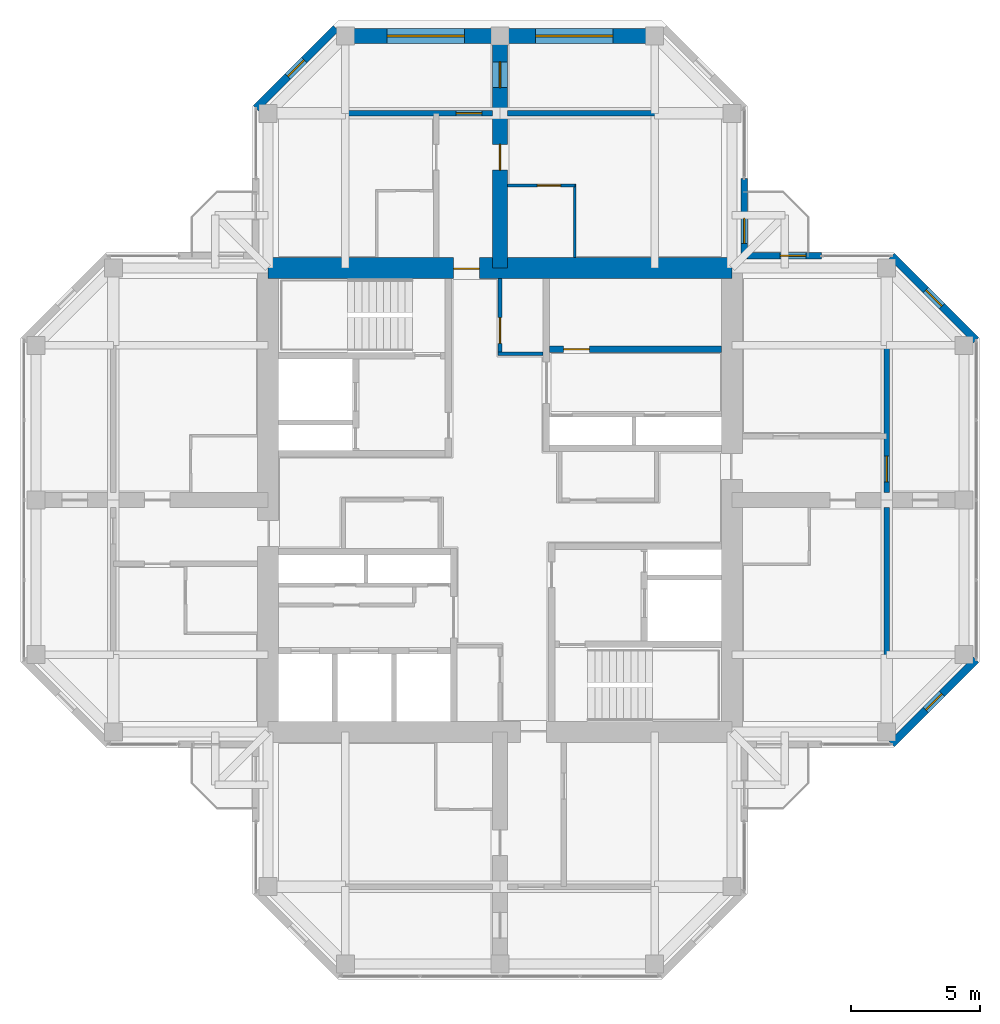
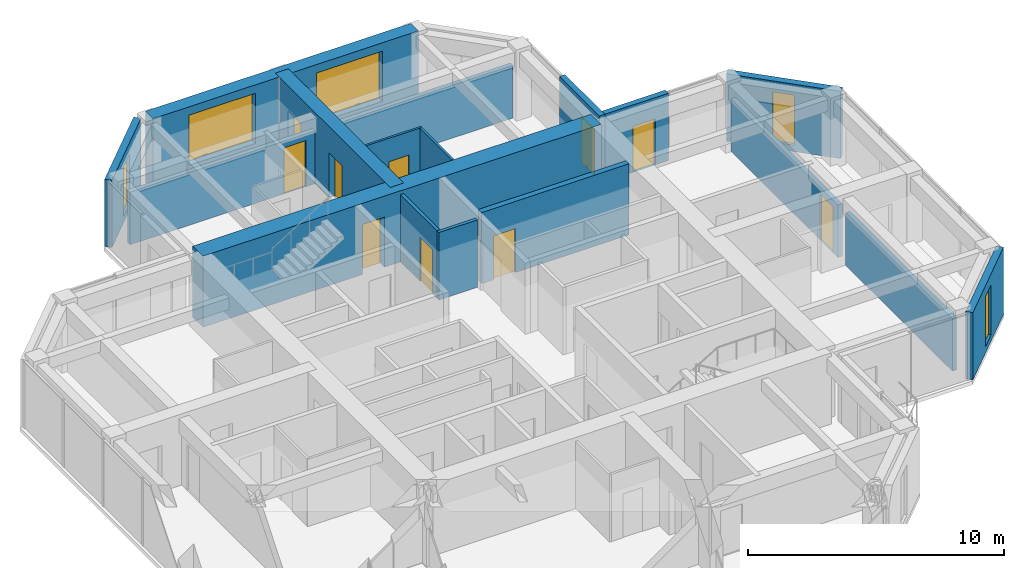
# One storey, part 11 of 13: 17 walls, 10 doors, 5 windows, 15 openings.
"""IFC4 building model written with IfcOpenShell, lengths in metres."""

from ifc_helpers import new_model, si_unit, direction, frame, frame_2d, origin, place, context, subcontext, project, spatial, rectangle, hollow_rectangle, extrude, material, layer, layer_set, constituent, constituent_set, type_object, element, fill, save


model = new_model("IFC4")

# Units and contexts
model_context = context("Model", 3, precision=1e-05, world=origin(), true_north=direction((0.0, 1.0)))
body_context = subcontext(model_context, "Body", "Model", "MODEL_VIEW")
ifc_project = project(units=[si_unit("LENGTHUNIT", "METRE"), si_unit("AREAUNIT", "SQUARE_METRE"), si_unit("VOLUMEUNIT", "CUBIC_METRE"), si_unit("PLANEANGLEUNIT", "RADIAN"), si_unit("MASSUNIT", "GRAM", prefix="KILO")], contexts=[model_context])

# Site, building, storey
site_placement = place(None, origin())
site = spatial("IfcSite", under=ifc_project, at=site_placement, CompositionType="ELEMENT")
building_placement = place(site_placement, origin())
building = spatial("IfcBuilding", under=site, at=building_placement, Name="Torre Cruceta", CompositionType="ELEMENT")
storey_placement = place(building_placement, frame((0.0, 0.0, 271.300048828125)))
storey = spatial("IfcBuildingStorey", under=building, at=storey_placement, Name="L70", CompositionType="ELEMENT", Elevation=271.300048828125)

# Wall
ifc_material_1 = material(Name="Water-resistant plasterboard on steel studs", Category="steel")
ifc_layer_1 = layer(ifc_material_1, 0.10009765625)
ifc_layer_set_1 = layer_set([ifc_layer_1], Name="Water-resistant plasterboard on steel studs")
wall_type_1 = type_object("IfcWallType", Name="BATHROOM WALL 100", PredefinedType="PARTITIONING", material=ifc_layer_set_1)
wall_1_placement = place(storey_placement, frame((2.89990234375, 9.39990234375, 0.0), z_axis=(0.0, 0.0, 1.0), x_axis=(0.0, 1.0, 0.0)))
element("IfcWall", 1, at=wall_1_placement, inside=storey, type_object=wall_type_1, Name="PT4 L70-N-U1RBB", PredefinedType="PARTITIONING", context=body_context, shape_type="SweptSolid", body=[
    extrude(rectangle(XDim=2.85009765625, YDim=0.10009765625, at=frame_2d((1.425048828125, 0.0))), origin(), (0.0, 0.0, 1.0), 3.219970703125),
])

# Wall, opening, door
wall_2_placement = place(storey_placement, frame((2.89990234375, 12.199951171875, 0.0), z_axis=(0.0, 0.0, 1.0), x_axis=(-1.0, 0.0, 0.0)))
wall_2 = element("IfcWall", 2, at=wall_2_placement, inside=storey, type_object=wall_type_1, Name="PT4 L70-N-U1RBS", PredefinedType="PARTITIONING", context=body_context, shape_type="SweptSolid", body=[
    extrude(rectangle(XDim=2.599853515625, YDim=0.10009765625, at=frame_2d((1.2998046875, 0.0))), origin(), (0.0, 0.0, 1.0), 3.219970703125),
])
opening_1_placement = place(wall_2_placement, frame((0.550048828125, 0.0, 0.0)))
opening_1 = element("IfcOpeningElement", 3, at=opening_1_placement, cuts=wall_2, Name="Opening D7", PredefinedType="OPENING", context=body_context, shape_type="SweptSolid", body=[
    extrude(rectangle(XDim=0.89990234375, YDim=2.10009765625, at=frame_2d((0.449951171875, 1.050048828125))), frame((0.0, 0.06005859375, 0.0), z_axis=(0.0, -1.0, 0.0), x_axis=(1.0, 0.0, 0.0)), (0.0, 0.0, 1.0), 0.1201171875),
])
ifc_material_2 = material(Name="Timber door", Category="wood")
door_type_1 = type_object("IfcDoorType", Name="BATHROOM DOOR 900X2100", OperationType="SINGLE_SWING_LEFT", PredefinedType="DOOR", material=ifc_material_2)
door_1_placement = place(opening_1_placement, origin())
door_1 = element("IfcDoor", 4, at=door_1_placement, inside=storey, type_object=door_type_1, Name="D7 L70-N-U1RBS-D1", OperationType="SINGLE_SWING_LEFT", OverallHeight=2.10009765625, OverallWidth=0.89990234375, PredefinedType="DOOR", context=body_context, shape_type="SweptSolid", body=[
    extrude(rectangle(XDim=0.89990234375, YDim=2.10009765625, at=frame_2d((0.449951171875, 1.050048828125))), frame((0.0, 0.02490234375, 0.0), z_axis=(0.0, -1.0, 0.0), x_axis=(1.0, 0.0, 0.0)), (0.0, 0.0, 1.0), 0.050048828125),
])
fill(opening_1, door_1)

ifc_material_3 = material(Name="Concrete G60 (fck 60 MPa)", Category="concrete")
ifc_layer_2 = layer(ifc_material_3, 0.25)
ifc_layer_set_2 = layer_set([ifc_layer_2], Name="Concrete G60 (fck 60 MPa)")
wall_type_2 = type_object("IfcWallType", Name="CORE INNER WALL 250 G60", PredefinedType="SHEAR", material=ifc_layer_set_2)
wall_3_placement = place(storey_placement, frame((1.925048828125, 5.85009765625, 0.0), z_axis=(0.0, 0.0, 1.0), x_axis=(1.0, 0.0, 0.0)))
wall_3 = element("IfcWall", 5, at=wall_3_placement, inside=storey, type_object=wall_type_2, Name="CW4 L70 NE-LV", PredefinedType="SHEAR", context=body_context, shape_type="SweptSolid", body=[
    extrude(rectangle(XDim=6.675048828125, YDim=0.25, at=frame_2d((3.33740234375, 0.0))), origin(), (0.0, 0.0, 1.0), 3.39990234375),
])
opening_2_placement = place(wall_3_placement, frame((0.5458984375, 0.0, 0.0)))
opening_2 = element("IfcOpeningElement", 6, at=opening_2_placement, cuts=wall_3, Name="Opening D3", PredefinedType="OPENING", context=body_context, shape_type="SweptSolid", body=[
    extrude(rectangle(XDim=1.0, YDim=2.10009765625, at=frame_2d((0.5, 1.050048828125))), frame((0.0, 0.135009765625, 0.0), z_axis=(0.0, -1.0, 0.0), x_axis=(1.0, 0.0, 0.0)), (0.0, 0.0, 1.0), 0.27001953125),
])
ifc_material_4 = material(Name="Steel DX51D", Category="steel")
ifc_constituent_1 = constituent(ifc_material_4, Name="Leaf and frame")
ifc_material_5 = material(Name="Polyester powder coating", Category="paint")
ifc_constituent_2 = constituent(ifc_material_5, Name="Finish")
ifc_constituent_set_1 = constituent_set(constituents=[ifc_constituent_1, ifc_constituent_2], Name="Steel fire door")
door_type_2 = type_object("IfcDoorType", Name="FIRE DOOR 1000X2100", OperationType="SINGLE_SWING_LEFT", PredefinedType="DOOR", material=ifc_constituent_set_1)
door_2_placement = place(opening_2_placement, origin())
door_2 = element("IfcDoor", 7, at=door_2_placement, inside=storey, type_object=door_type_2, Name="D3 L70 NE-HR1", OperationType="SINGLE_SWING_LEFT", OverallHeight=2.10009765625, OverallWidth=1.0, PredefinedType="DOOR", context=body_context, shape_type="SweptSolid", body=[
    extrude(rectangle(XDim=1.0, YDim=2.10009765625, at=frame_2d((0.5, 1.050048828125))), frame((0.0, 0.02490234375, 0.0), z_axis=(0.0, -1.0, 0.0), x_axis=(1.0, 0.0, 0.0)), (0.0, 0.0, 1.0), 0.050048828125),
])
fill(opening_2, door_2)

ifc_material_6 = material(Name="Concrete G60 (fck 60 MPa)", Category="concrete")
ifc_layer_3 = layer(ifc_material_6, 0.800048828125)
ifc_layer_set_3 = layer_set([ifc_layer_3], Name="Concrete G60 (fck 60 MPa)")
wall_type_3 = type_object("IfcWallType", Name="CORE WALL 800 G60", PredefinedType="SHEAR", material=ifc_layer_set_3)
wall_4_placement = place(storey_placement, frame((9.0, 9.0, 0.0), z_axis=(0.0, 0.0, 1.0), x_axis=(-1.0, 0.0, 0.0)))
wall_4 = element("IfcWall", 8, at=wall_4_placement, inside=storey, type_object=wall_type_3, Name="CW3 L70 CW-N", PredefinedType="SHEAR", context=body_context, shape_type="SweptSolid", body=[
    extrude(rectangle(XDim=18.0, YDim=0.800048828125, at=frame_2d((9.0, 0.0))), origin(), (0.0, 0.0, 1.0), 3.39990234375),
])
opening_3_placement = place(wall_4_placement, frame((9.800048828125, 0.0, 0.0)))
opening_3 = element("IfcOpeningElement", 9, at=opening_3_placement, cuts=wall_4, Name="Opening D4", PredefinedType="OPENING", context=body_context, shape_type="SweptSolid", body=[
    extrude(rectangle(XDim=1.0, YDim=2.39990234375, at=frame_2d((0.5, 1.199951171875))), frame((0.0, 0.409912109375, 0.0), z_axis=(0.0, -1.0, 0.0), x_axis=(1.0, 0.0, 0.0)), (0.0, 0.0, 1.0), 0.820068359375),
])
ifc_material_7 = material(Name="Steel DX51D", Category="steel")
ifc_constituent_3 = constituent(ifc_material_7, Name="Leaf and frame")
ifc_material_8 = material(Name="Polyester powder coating", Category="paint")
ifc_constituent_4 = constituent(ifc_material_8, Name="Finish")
ifc_constituent_set_2 = constituent_set(constituents=[ifc_constituent_3, ifc_constituent_4], Name="Steel fire door")
door_type_3 = type_object("IfcDoorType", Name="CORE ARM DOOR 1000X2400", OperationType="SINGLE_SWING_RIGHT", PredefinedType="DOOR", material=ifc_constituent_set_2)
door_3_placement = place(opening_3_placement, origin())
door_3 = element("IfcDoor", 10, at=door_3_placement, inside=storey, type_object=door_type_3, Name="D4 L70 CW-N", OperationType="SINGLE_SWING_RIGHT", OverallHeight=2.39990234375, OverallWidth=1.0, PredefinedType="DOOR", context=body_context, shape_type="SweptSolid", body=[
    extrude(rectangle(XDim=1.0, YDim=2.39990234375, at=frame_2d((0.5, 1.199951171875))), frame((0.0, 0.05517578125, 0.0), z_axis=(0.0, -1.0, 0.0), x_axis=(1.0, 0.0, 0.0)), (0.0, 0.0, 1.0), 0.050048828125),
])
fill(opening_3, door_3)

# Wall, opening, window
ifc_material_9 = material(Name="Concrete G30 (fck 30 MPa)", Category="concrete")
ifc_layer_4 = layer(ifc_material_9, 0.300048828125)
ifc_layer_set_4 = layer_set([ifc_layer_4], Name="Concrete G30 (fck 30 MPa)")
wall_type_4 = type_object("IfcWallType", Name="EXPOSED CONCRETE FACADE WALL 300", PredefinedType="SOLIDWALL", material=ifc_layer_set_4)
wall_5_placement = place(storey_placement, frame((15.194580078125, -9.469970703125, 0.0), z_axis=(0.0, 0.0, 1.0), x_axis=(0.707106781187, 0.707106781187, 0.0)))
wall_5 = element("IfcWall", 11, at=wall_5_placement, inside=storey, type_object=wall_type_4, Name="EW1 facade wall L70 E chamfer 01", PredefinedType="SOLIDWALL", context=body_context, shape_type="SweptSolid", body=[
    extrude(rectangle(XDim=4.632080078125, YDim=0.300048828125, at=frame_2d((2.31591796875, 0.0))), origin(), (0.0, 0.0, 1.0), 3.219970703125),
])
opening_4_placement = place(wall_5_placement, frame((1.865966796875, 0.0, 0.300048828125)))
opening_4 = element("IfcOpeningElement", 12, at=opening_4_placement, cuts=wall_5, Name="Opening WN5", PredefinedType="OPENING", context=body_context, shape_type="SweptSolid", body=[
    extrude(rectangle(XDim=0.89990234375, YDim=2.39990234375, at=frame_2d((0.449951171875, 1.199951171875))), frame((0.0, 0.159912109375, 0.0), z_axis=(0.0, -1.0, 0.0), x_axis=(1.0, 0.0, 0.0)), (0.0, 0.0, 1.0), 0.320068359375),
])
ifc_material_10 = material(Name="Aluminium window frame", Category="aluminium")
ifc_constituent_5 = constituent(ifc_material_10, Name="Frame")
ifc_material_11 = material(Name="Laminated insulating glass unit, low-iron clear", Category="glass")
ifc_constituent_6 = constituent(ifc_material_11, Name="Glazing")
ifc_constituent_set_3 = constituent_set(constituents=[ifc_constituent_5, ifc_constituent_6], Name="Aluminium window")
window_type_1 = type_object("IfcWindowType", Name="CHAMFER SLOT WINDOW 900X2400", PartitioningType="SINGLE_PANEL", PredefinedType="WINDOW", material=ifc_constituent_set_3)
window_1_placement = place(opening_4_placement, origin())
window_1 = element("IfcWindow", 13, at=window_1_placement, inside=storey, type_object=window_type_1, Name="WN5 L70 E 1", OverallHeight=2.39990234375, OverallWidth=0.89990234375, PartitioningType="SINGLE_PANEL", PredefinedType="WINDOW", context=body_context, shape_type="SweptSolid", body=[
    extrude(hollow_rectangle(XDim=0.89990234375, YDim=2.39990234375, WallThickness=0.06005859375, at=frame_2d((0.449951171875, 1.199951171875))), frame((0.0, 0.030029296875, 0.0), z_axis=(0.0, -1.0, 0.0), x_axis=(1.0, 0.0, 0.0)), (0.0, 0.0, 1.0), 0.06005859375),
    extrude(rectangle(XDim=0.77880859375, YDim=2.27880859375, at=frame_2d((0.449951171875, 1.199951171875))), frame((0.0, 0.030029296875, 0.0), z_axis=(0.0, -1.0, 0.0), x_axis=(1.0, 0.0, 0.0)), (0.0, 0.0, 1.0), 0.06005859375),
])
fill(opening_4, window_1)

wall_6_placement = place(storey_placement, frame((18.469970703125, 6.194580078125, 0.0), z_axis=(0.0, 0.0, 1.0), x_axis=(-0.707106781187, 0.707106781187, 0.0)))
wall_6 = element("IfcWall", 14, at=wall_6_placement, inside=storey, type_object=wall_type_4, Name="EW1 facade wall L70 E chamfer 03", PredefinedType="SOLIDWALL", context=body_context, shape_type="SweptSolid", body=[
    extrude(rectangle(XDim=4.632080078125, YDim=0.300048828125, at=frame_2d((2.31591796875, 0.0))), origin(), (0.0, 0.0, 1.0), 3.219970703125),
])
opening_5_placement = place(wall_6_placement, frame((1.865966796875, 0.0, 0.300048828125)))
opening_5 = element("IfcOpeningElement", 15, at=opening_5_placement, cuts=wall_6, Name="Opening WN5", PredefinedType="OPENING", context=body_context, shape_type="SweptSolid", body=[
    extrude(rectangle(XDim=0.89990234375, YDim=2.39990234375, at=frame_2d((0.449951171875, 1.199951171875))), frame((0.0, 0.159912109375, 0.0), z_axis=(0.0, -1.0, 0.0), x_axis=(1.0, 0.0, 0.0)), (0.0, 0.0, 1.0), 0.320068359375),
])
window_2_placement = place(opening_5_placement, origin())
window_2 = element("IfcWindow", 16, at=window_2_placement, inside=storey, type_object=window_type_1, Name="WN5 L70 E 1", OverallHeight=2.39990234375, OverallWidth=0.89990234375, PartitioningType="SINGLE_PANEL", PredefinedType="WINDOW", context=body_context, shape_type="SweptSolid", body=[
    extrude(hollow_rectangle(XDim=0.89990234375, YDim=2.39990234375, WallThickness=0.06005859375, at=frame_2d((0.449951171875, 1.199951171875))), frame((0.0, 0.030029296875, 0.0), z_axis=(0.0, -1.0, 0.0), x_axis=(1.0, 0.0, 0.0)), (0.0, 0.0, 1.0), 0.06005859375),
    extrude(rectangle(XDim=0.77880859375, YDim=2.27880859375, at=frame_2d((0.449951171875, 1.199951171875))), frame((0.0, 0.030029296875, 0.0), z_axis=(0.0, -1.0, 0.0), x_axis=(1.0, 0.0, 0.0)), (0.0, 0.0, 1.0), 0.06005859375),
])
fill(opening_5, window_2)

wall_7_placement = place(storey_placement, frame((-6.36474609375, 18.300048828125, 0.0), z_axis=(0.0, 0.0, 1.0), x_axis=(-0.70707898447, -0.707134576811, 0.0)))
wall_7 = element("IfcWall", 17, at=wall_7_placement, inside=storey, type_object=wall_type_4, Name="EW1 facade wall L70 N chamfer 08", PredefinedType="SOLIDWALL", context=body_context, shape_type="SweptSolid", body=[
    extrude(rectangle(XDim=4.3916015625, YDim=0.300048828125, at=frame_2d((2.19580078125, 0.0))), origin(), (0.0, 0.0, 1.0), 3.219970703125),
])
opening_6_placement = place(wall_7_placement, frame((1.745849609375, 0.0, 0.300048828125)))
opening_6 = element("IfcOpeningElement", 18, at=opening_6_placement, cuts=wall_7, Name="Opening WN5", PredefinedType="OPENING", context=body_context, shape_type="SweptSolid", body=[
    extrude(rectangle(XDim=0.89990234375, YDim=2.39990234375, at=frame_2d((0.449951171875, 1.199951171875))), frame((0.0, 0.159912109375, 0.0), z_axis=(0.0, -1.0, 0.0), x_axis=(1.0, 0.0, 0.0)), (0.0, 0.0, 1.0), 0.320068359375),
])
window_3_placement = place(opening_6_placement, origin())
window_3 = element("IfcWindow", 19, at=window_3_placement, inside=storey, type_object=window_type_1, Name="WN5 L70 N 1", OverallHeight=2.39990234375, OverallWidth=0.89990234375, PartitioningType="SINGLE_PANEL", PredefinedType="WINDOW", context=body_context, shape_type="SweptSolid", body=[
    extrude(hollow_rectangle(XDim=0.89990234375, YDim=2.39990234375, WallThickness=0.06005859375, at=frame_2d((0.449951171875, 1.199951171875))), frame((0.0, 0.030029296875, 0.0), z_axis=(0.0, -1.0, 0.0), x_axis=(1.0, 0.0, 0.0)), (0.0, 0.0, 1.0), 0.06005859375),
    extrude(rectangle(XDim=0.77880859375, YDim=2.27880859375, at=frame_2d((0.449951171875, 1.199951171875))), frame((0.0, 0.030029296875, 0.0), z_axis=(0.0, -1.0, 0.0), x_axis=(1.0, 0.0, 0.0)), (0.0, 0.0, 1.0), 0.06005859375),
])
fill(opening_6, window_3)

# Wall, openings, windows
ifc_material_12 = material(Name="Concrete G60 (fck 60 MPa)", Category="concrete")
ifc_layer_5 = layer(ifc_material_12, 0.60009765625)
ifc_layer_set_5 = layer_set([ifc_layer_5], Name="Concrete G60 (fck 60 MPa)")
wall_type_5 = type_object("IfcWallType", Name="NOSE WALL 600 G60", PredefinedType="SHEAR", material=ifc_layer_set_5)
wall_8_placement = place(storey_placement, frame((6.0, 18.0, 0.0), z_axis=(0.0, 0.0, 1.0), x_axis=(-1.0, 0.0, 0.0)))
wall_8 = element("IfcWall", 20, at=wall_8_placement, inside=storey, type_object=wall_type_5, Name="NW3 nose wall L70 N", PredefinedType="SHEAR", context=body_context, shape_type="SweptSolid", body=[
    extrude(rectangle(XDim=12.0, YDim=0.60009765625, at=frame_2d((6.0, 0.0))), origin(), (0.0, 0.0, 1.0), 3.39990234375),
])
opening_7_placement = place(wall_8_placement, frame((1.625, 0.0, 0.60009765625)))
opening_7 = element("IfcOpeningElement", 21, at=opening_7_placement, cuts=wall_8, Name="Opening WN6", PredefinedType="OPENING", context=body_context, shape_type="SweptSolid", body=[
    extrude(rectangle(XDim=3.0, YDim=2.39990234375, at=frame_2d((1.5, 1.199951171875))), frame((0.0, 0.31005859375, 0.0), z_axis=(0.0, -1.0, 0.0), x_axis=(1.0, 0.0, 0.0)), (0.0, 0.0, 1.0), 0.6201171875),
])
opening_8_placement = place(wall_8_placement, frame((7.375, 0.0, 0.60009765625)))
opening_8 = element("IfcOpeningElement", 22, at=opening_8_placement, cuts=wall_8, Name="Opening WN6", PredefinedType="OPENING", context=body_context, shape_type="SweptSolid", body=[
    extrude(rectangle(XDim=3.0, YDim=2.39990234375, at=frame_2d((1.5, 1.199951171875))), frame((0.0, 0.31005859375, 0.0), z_axis=(0.0, -1.0, 0.0), x_axis=(1.0, 0.0, 0.0)), (0.0, 0.0, 1.0), 0.6201171875),
])
ifc_material_13 = material(Name="Aluminium window frame", Category="aluminium")
ifc_constituent_7 = constituent(ifc_material_13, Name="Frame")
ifc_material_14 = material(Name="Laminated insulating glass unit, low-iron clear", Category="glass")
ifc_constituent_8 = constituent(ifc_material_14, Name="Glazing")
ifc_constituent_set_4 = constituent_set(constituents=[ifc_constituent_7, ifc_constituent_8], Name="Aluminium window")
window_type_2 = type_object("IfcWindowType", Name="NOSE WALL WINDOW 3000X2400", PartitioningType="SINGLE_PANEL", PredefinedType="WINDOW", material=ifc_constituent_set_4)
window_4_placement = place(opening_7_placement, origin())
window_4 = element("IfcWindow", 23, at=window_4_placement, inside=storey, type_object=window_type_2, Name="WN6 L70 N 1", OverallHeight=2.39990234375, OverallWidth=3.0, PartitioningType="SINGLE_PANEL", PredefinedType="WINDOW", context=body_context, shape_type="SweptSolid", body=[
    extrude(hollow_rectangle(XDim=3.0, YDim=2.39990234375, WallThickness=0.06005859375, at=frame_2d((1.5, 1.199951171875))), frame((0.0, 0.030029296875, 0.0), z_axis=(0.0, -1.0, 0.0), x_axis=(1.0, 0.0, 0.0)), (0.0, 0.0, 1.0), 0.06005859375),
    extrude(rectangle(XDim=2.87890625, YDim=2.27880859375, at=frame_2d((1.5, 1.199951171875))), frame((0.0, 0.030029296875, 0.0), z_axis=(0.0, -1.0, 0.0), x_axis=(1.0, 0.0, 0.0)), (0.0, 0.0, 1.0), 0.06005859375),
])
fill(opening_7, window_4)
window_5_placement = place(opening_8_placement, origin())
window_5 = element("IfcWindow", 24, at=window_5_placement, inside=storey, type_object=window_type_2, Name="WN6 L70 N 2", OverallHeight=2.39990234375, OverallWidth=3.0, PartitioningType="SINGLE_PANEL", PredefinedType="WINDOW", context=body_context, shape_type="SweptSolid", body=[
    extrude(hollow_rectangle(XDim=3.0, YDim=2.39990234375, WallThickness=0.06005859375, at=frame_2d((1.5, 1.199951171875))), frame((0.0, 0.030029296875, 0.0), z_axis=(0.0, -1.0, 0.0), x_axis=(1.0, 0.0, 0.0)), (0.0, 0.0, 1.0), 0.06005859375),
    extrude(rectangle(XDim=2.87890625, YDim=2.27880859375, at=frame_2d((1.5, 1.199951171875))), frame((0.0, 0.030029296875, 0.0), z_axis=(0.0, -1.0, 0.0), x_axis=(1.0, 0.0, 0.0)), (0.0, 0.0, 1.0), 0.06005859375),
])
fill(opening_8, window_5)

# Wall, opening, door
ifc_material_15 = material(Name="Plasterboard on steel studs", Category="steel")
ifc_layer_6 = layer(ifc_material_15, 0.14990234375)
ifc_layer_set_6 = layer_set([ifc_layer_6], Name="Plasterboard on steel studs")
wall_type_6 = type_object("IfcWallType", Name="PARTITION 150", PredefinedType="PARTITIONING", material=ifc_layer_set_6)
wall_9_placement = place(storey_placement, frame((0.0, 5.675048828125, 0.0), z_axis=(0.0, 0.0, 1.0), x_axis=(0.0, 1.0, 0.0)))
wall_9 = element("IfcWall", 25, at=wall_9_placement, inside=storey, type_object=wall_type_6, Name="PT1 L70-CORE-LEGN-E-W1", PredefinedType="PARTITIONING", context=body_context, shape_type="SweptSolid", body=[
    extrude(rectangle(XDim=2.925048828125, YDim=0.14990234375, at=frame_2d((1.46240234375, 0.0))), origin(), (0.0, 0.0, 1.0), 3.219970703125),
])
opening_9_placement = place(wall_9_placement, frame((0.39990234375, 0.0, 0.0)))
opening_9 = element("IfcOpeningElement", 26, at=opening_9_placement, cuts=wall_9, Name="Opening D3", PredefinedType="OPENING", context=body_context, shape_type="SweptSolid", body=[
    extrude(rectangle(XDim=1.0, YDim=2.10009765625, at=frame_2d((0.5, 1.050048828125))), frame((0.0, 0.0849609375, 0.0), z_axis=(0.0, -1.0, 0.0), x_axis=(1.0, 0.0, 0.0)), (0.0, 0.0, 1.0), 0.169921875),
])
door_4_placement = place(opening_9_placement, frame((1.0, 0.0, 0.0), z_axis=(0.0, 0.0, 1.0), x_axis=(-1.0, 0.0, 0.0)))
door_4 = element("IfcDoor", 27, at=door_4_placement, inside=storey, type_object=door_type_2, Name="D3 L70-CORE-LEGN-E-W1-D1", OperationType="SINGLE_SWING_RIGHT", OverallHeight=2.10009765625, OverallWidth=1.0, PredefinedType="DOOR", context=body_context, shape_type="SweptSolid", body=[
    extrude(rectangle(XDim=1.0, YDim=2.10009765625, at=frame_2d((0.5, 1.050048828125))), frame((0.0, 0.025146484375, 0.0), z_axis=(0.0, -1.0, 0.0), x_axis=(1.0, 0.0, 0.0)), (0.0, 0.0, 1.0), 0.050048828125),
])
fill(opening_9, door_4)

# Wall
wall_10_placement = place(storey_placement, frame((1.675048828125, 5.675048828125, 0.0), z_axis=(0.0, 0.0, 1.0), x_axis=(-1.0, 0.0, 0.0)))
element("IfcWall", 28, at=wall_10_placement, inside=storey, type_object=wall_type_6, Name="PT1 L70-CORE-LEGN-E-W2", PredefinedType="PARTITIONING", context=body_context, shape_type="SweptSolid", body=[
    extrude(rectangle(XDim=1.75, YDim=0.14990234375, at=frame_2d((0.875, 0.0))), origin(), (0.0, 0.0, 1.0), 3.219970703125),
])

# Wall, openings, doors
ifc_material_16 = material(Name="Concrete G60 (fck 60 MPa)", Category="concrete")
ifc_layer_7 = layer(ifc_material_16, 0.60009765625)
ifc_layer_set_7 = layer_set([ifc_layer_7], Name="Concrete G60 (fck 60 MPa)")
wall_type_7 = type_object("IfcWallType", Name="SPINE WALL 600 G60", PredefinedType="SHEAR", material=ifc_layer_set_7)
wall_11_placement = place(storey_placement, frame((0.0, 9.0, 0.0), z_axis=(0.0, 0.0, 1.0), x_axis=(0.0, 1.0, 0.0)))
wall_11 = element("IfcWall", 29, at=wall_11_placement, inside=storey, type_object=wall_type_7, Name="SW5 spine wall L70 N", PredefinedType="SHEAR", context=body_context, shape_type="SweptSolid", body=[
    extrude(rectangle(XDim=9.0, YDim=0.60009765625, at=frame_2d((4.5, 0.0))), origin(), (0.0, 0.0, 1.0), 3.39990234375),
])
opening_10_placement = place(wall_11_placement, frame((3.800048828125, 0.0, 0.0)))
opening_10 = element("IfcOpeningElement", 30, at=opening_10_placement, cuts=wall_11, Name="Opening D6", PredefinedType="OPENING", context=body_context, shape_type="SweptSolid", body=[
    extrude(rectangle(XDim=1.0, YDim=2.14990234375, at=frame_2d((0.5, 1.074951171875))), frame((0.0, 0.31005859375, 0.0), z_axis=(0.0, -1.0, 0.0), x_axis=(1.0, 0.0, 0.0)), (0.0, 0.0, 1.0), 0.6201171875),
])
opening_11_placement = place(wall_11_placement, frame((7.0, 0.0, 0.0)))
opening_11 = element("IfcOpeningElement", 31, at=opening_11_placement, cuts=wall_11, Name="Opening D14", PredefinedType="OPENING", context=body_context, shape_type="SweptSolid", body=[
    extrude(rectangle(XDim=1.0, YDim=2.199951171875, at=frame_2d((0.5, 1.10009765625))), frame((0.0, 0.31005859375, 0.0), z_axis=(0.0, -1.0, 0.0), x_axis=(1.0, 0.0, 0.0)), (0.0, 0.0, 1.0), 0.6201171875),
])
ifc_material_17 = material(Name="Steel DX51D", Category="steel")
ifc_constituent_9 = constituent(ifc_material_17, Name="Leaf and frame")
ifc_material_18 = material(Name="Polyester powder coating", Category="paint")
ifc_constituent_10 = constituent(ifc_material_18, Name="Finish")
ifc_material_19 = material(Name="Fire-resisting glass", Category="glass")
ifc_constituent_11 = constituent(ifc_material_19, Name="Vision panel")
ifc_constituent_set_5 = constituent_set(constituents=[ifc_constituent_9, ifc_constituent_10, ifc_constituent_11], Name="Steel fire door with vision panel")
door_type_4 = type_object("IfcDoorType", Name="FIRE DOOR VISION PANEL 1000X2200", OperationType="SINGLE_SWING_RIGHT", PredefinedType="DOOR", material=ifc_constituent_set_5)
door_5_placement = place(opening_11_placement, origin())
door_5 = element("IfcDoor", 32, at=door_5_placement, inside=storey, type_object=door_type_4, Name="D14 L70-N-SP2", OperationType="SINGLE_SWING_RIGHT", OverallHeight=2.199951171875, OverallWidth=1.0, PredefinedType="DOOR", context=body_context, shape_type="SweptSolid", body=[
    extrude(rectangle(XDim=1.0, YDim=2.199951171875, at=frame_2d((0.5, 1.10009765625))), frame((0.0, 0.02490234375, 0.0), z_axis=(0.0, -1.0, 0.0), x_axis=(1.0, 0.0, 0.0)), (0.0, 0.0, 1.0), 0.050048828125),
])
fill(opening_11, door_5)
ifc_material_20 = material(Name="Timber fire door", Category="wood")
door_type_5 = type_object("IfcDoorType", Name="UNIT ENTRANCE DOOR 1000X2150", OperationType="SINGLE_SWING_LEFT", PredefinedType="DOOR", material=ifc_material_20)
door_6_placement = place(opening_10_placement, frame((1.0, 0.0, 0.0), z_axis=(0.0, 0.0, 1.0), x_axis=(-1.0, 0.0, 0.0)))
door_6 = element("IfcDoor", 33, at=door_6_placement, inside=storey, type_object=door_type_5, Name="D6 L70-N-SP1", OperationType="SINGLE_SWING_RIGHT", OverallHeight=2.14990234375, OverallWidth=1.0, PredefinedType="DOOR", context=body_context, shape_type="SweptSolid", body=[
    extrude(rectangle(XDim=1.0, YDim=2.14990234375, at=frame_2d((0.5, 1.074951171875))), frame((0.0, 0.025146484375, 0.0), z_axis=(0.0, -1.0, 0.0), x_axis=(1.0, 0.0, 0.0)), (0.0, 0.0, 1.0), 0.050048828125),
])
fill(opening_10, door_6)

# Wall
ifc_material_21 = material(Name="Concrete G25 (fck 25 MPa)", Category="concrete")
ifc_layer_8 = layer(ifc_material_21, 0.199951171875)
ifc_layer_set_8 = layer_set([ifc_layer_8], Name="Concrete G25 (fck 25 MPa)")
wall_type_8 = type_object("IfcWallType", Name="UNIT SEPARATING WALL 200", PredefinedType="SOLIDWALL", material=ifc_layer_set_8)
wall_12_placement = place(storey_placement, frame((8.64990234375, 15.0, 0.0), z_axis=(0.0, 0.0, 1.0), x_axis=(-1.0, 0.0, 0.0)))
element("IfcWall", 34, at=wall_12_placement, inside=storey, type_object=wall_type_8, Name="PT2 L70-N-ENDa", PredefinedType="SOLIDWALL", context=body_context, shape_type="SweptSolid", body=[
    extrude(rectangle(XDim=8.349853515625, YDim=0.199951171875, at=frame_2d((4.1748046875, 0.0))), origin(), (0.0, 0.0, 1.0), 2.52001953125),
])

# Wall, opening, door
wall_13_placement = place(storey_placement, frame((-0.300048828125, 15.0, 0.0), z_axis=(0.0, 0.0, 1.0), x_axis=(-1.0, 0.0, 0.0)))
wall_13 = element("IfcWall", 35, at=wall_13_placement, inside=storey, type_object=wall_type_8, Name="PT2 L70-N-ENDb", PredefinedType="SOLIDWALL", context=body_context, shape_type="SweptSolid", body=[
    extrude(rectangle(XDim=8.349853515625, YDim=0.199951171875, at=frame_2d((4.1748046875, 0.0))), origin(), (0.0, 0.0, 1.0), 2.52001953125),
])
opening_12_placement = place(wall_13_placement, frame((0.39990234375, 0.0, 0.0)))
opening_12 = element("IfcOpeningElement", 36, at=opening_12_placement, cuts=wall_13, Name="Opening D14", PredefinedType="OPENING", context=body_context, shape_type="SweptSolid", body=[
    extrude(rectangle(XDim=1.0, YDim=2.199951171875, at=frame_2d((0.5, 1.10009765625))), frame((0.0, 0.10986328125, 0.0), z_axis=(0.0, -1.0, 0.0), x_axis=(1.0, 0.0, 0.0)), (0.0, 0.0, 1.0), 0.219970703125),
])
door_7_placement = place(opening_12_placement, frame((1.0, 0.0, 0.0), z_axis=(0.0, 0.0, 1.0), x_axis=(-1.0, 0.0, 0.0)))
door_7 = element("IfcDoor", 37, at=door_7_placement, inside=storey, type_object=door_type_4, Name="D14 L70-N-ENDb-D1", OperationType="SINGLE_SWING_RIGHT", OverallHeight=2.199951171875, OverallWidth=1.0, PredefinedType="DOOR", context=body_context, shape_type="SweptSolid", body=[
    extrude(rectangle(XDim=1.0, YDim=2.199951171875, at=frame_2d((0.5, 1.10009765625))), frame((0.0, 0.025146484375, 0.0), z_axis=(0.0, -1.0, 0.0), x_axis=(1.0, 0.0, 0.0)), (0.0, 0.0, 1.0), 0.050048828125),
])
fill(opening_12, door_7)

# Wall
wall_14_placement = place(storey_placement, frame((15.0, -8.64990234375, 0.0), z_axis=(0.0, 0.0, 1.0), x_axis=(0.0, 1.0, 0.0)))
element("IfcWall", 38, at=wall_14_placement, inside=storey, type_object=wall_type_8, Name="PT2 L70-E-ENDa", PredefinedType="SOLIDWALL", context=body_context, shape_type="SweptSolid", body=[
    extrude(rectangle(XDim=8.349853515625, YDim=0.199951171875, at=frame_2d((4.1748046875, 0.0))), origin(), (0.0, 0.0, 1.0), 2.52001953125),
])

# Wall, opening, door
wall_15_placement = place(storey_placement, frame((15.0, 0.300048828125, 0.0), z_axis=(0.0, 0.0, 1.0), x_axis=(0.0, 1.0, 0.0)))
wall_15 = element("IfcWall", 39, at=wall_15_placement, inside=storey, type_object=wall_type_8, Name="PT2 L70-E-ENDb", PredefinedType="SOLIDWALL", context=body_context, shape_type="SweptSolid", body=[
    extrude(rectangle(XDim=8.349853515625, YDim=0.199951171875, at=frame_2d((4.1748046875, 0.0))), origin(), (0.0, 0.0, 1.0), 2.52001953125),
])
opening_13_placement = place(wall_15_placement, frame((0.39990234375, 0.0, 0.0)))
opening_13 = element("IfcOpeningElement", 40, at=opening_13_placement, cuts=wall_15, Name="Opening D14", PredefinedType="OPENING", context=body_context, shape_type="SweptSolid", body=[
    extrude(rectangle(XDim=1.0, YDim=2.199951171875, at=frame_2d((0.5, 1.10009765625))), frame((0.0, 0.10986328125, 0.0), z_axis=(0.0, -1.0, 0.0), x_axis=(1.0, 0.0, 0.0)), (0.0, 0.0, 1.0), 0.219970703125),
])
door_8_placement = place(opening_13_placement, frame((1.0, 0.0, 0.0), z_axis=(0.0, 0.0, 1.0), x_axis=(-1.0, 0.0, 0.0)))
door_8 = element("IfcDoor", 41, at=door_8_placement, inside=storey, type_object=door_type_4, Name="D14 L70-E-ENDb-D1", OperationType="SINGLE_SWING_LEFT", OverallHeight=2.199951171875, OverallWidth=1.0, PredefinedType="DOOR", context=body_context, shape_type="SweptSolid", body=[
    extrude(rectangle(XDim=1.0, YDim=2.199951171875, at=frame_2d((0.5, 1.10009765625))), frame((0.0, 0.025146484375, 0.0), z_axis=(0.0, -1.0, 0.0), x_axis=(1.0, 0.0, 0.0)), (0.0, 0.0, 1.0), 0.050048828125),
])
fill(opening_13, door_8)

ifc_material_22 = material(Name="Concrete G30 (fck 30 MPa)", Category="concrete")
ifc_layer_9 = layer(ifc_material_22, 0.25)
ifc_layer_set_9 = layer_set([ifc_layer_9], Name="Concrete G30 (fck 30 MPa)")
wall_type_9 = type_object("IfcWallType", Name="WINTER GARDEN WALL 250", PredefinedType="SOLIDWALL", material=ifc_layer_set_9)
wall_16_placement = place(storey_placement, frame((12.469970703125, 9.469970703125, 0.0), z_axis=(0.0, 0.0, 1.0), x_axis=(-1.0, 0.0, 0.0)))
wall_16 = element("IfcWall", 42, at=wall_16_placement, inside=storey, type_object=wall_type_9, Name="EW2 winter garden wall L70 04", PredefinedType="SOLIDWALL", context=body_context, shape_type="SweptSolid", body=[
    extrude(rectangle(XDim=2.875, YDim=0.25, at=frame_2d((1.4375, 0.0))), origin(), (0.0, 0.0, 1.0), 3.219970703125),
])
opening_14_placement = place(wall_16_placement, frame((0.60009765625, 0.0, 0.0)))
opening_14 = element("IfcOpeningElement", 43, at=opening_14_placement, cuts=wall_16, Name="Opening D10", PredefinedType="OPENING", context=body_context, shape_type="SweptSolid", body=[
    extrude(rectangle(XDim=1.0, YDim=2.199951171875, at=frame_2d((0.5, 1.10009765625))), frame((0.0, 0.135009765625, 0.0), z_axis=(0.0, -1.0, 0.0), x_axis=(1.0, 0.0, 0.0)), (0.0, 0.0, 1.0), 0.27001953125),
])
ifc_material_23 = material(Name="Aluminium door frame", Category="aluminium")
ifc_constituent_12 = constituent(ifc_material_23, Name="Frame")
ifc_material_24 = material(Name="Laminated safety glass", Category="glass")
ifc_constituent_13 = constituent(ifc_material_24, Name="Glazing")
ifc_constituent_set_6 = constituent_set(constituents=[ifc_constituent_12, ifc_constituent_13], Name="Aluminium glazed door")
door_type_6 = type_object("IfcDoorType", Name="BALCONY DOOR 1000X2200", OperationType="SINGLE_SWING_RIGHT", PredefinedType="DOOR", material=ifc_constituent_set_6)
door_9_placement = place(opening_14_placement, origin())
door_9 = element("IfcDoor", 44, at=door_9_placement, inside=storey, type_object=door_type_6, Name="D10 balcony door L70 04", OperationType="SINGLE_SWING_RIGHT", OverallHeight=2.199951171875, OverallWidth=1.0, PredefinedType="DOOR", context=body_context, shape_type="SweptSolid", body=[
    extrude(hollow_rectangle(XDim=1.0, YDim=2.199951171875, WallThickness=0.06005859375, at=frame_2d((0.5, 1.10009765625))), frame((0.0, 0.02490234375, 0.0), z_axis=(0.0, -1.0, 0.0), x_axis=(1.0, 0.0, 0.0)), (0.0, 0.0, 1.0), 0.050048828125),
    extrude(rectangle(XDim=0.87890625, YDim=2.078857421875, at=frame_2d((0.5, 1.10009765625))), frame((0.0, 0.02490234375, 0.0), z_axis=(0.0, -1.0, 0.0), x_axis=(1.0, 0.0, 0.0)), (0.0, 0.0, 1.0), 0.050048828125),
])
fill(opening_14, door_9)

wall_17_placement = place(storey_placement, frame((9.469970703125, 9.344970703125, 0.0), z_axis=(0.0, 0.0, 1.0), x_axis=(0.0, 1.0, 0.0)))
wall_17 = element("IfcWall", 45, at=wall_17_placement, inside=storey, type_object=wall_type_9, Name="EW2 winter garden wall L70 05", PredefinedType="SOLIDWALL", context=body_context, shape_type="SweptSolid", body=[
    extrude(rectangle(XDim=3.125, YDim=0.25, at=frame_2d((1.5625, 0.0))), origin(), (0.0, 0.0, 1.0), 3.219970703125),
])
opening_15_placement = place(wall_17_placement, frame((0.60009765625, 0.0, 0.0)))
opening_15 = element("IfcOpeningElement", 46, at=opening_15_placement, cuts=wall_17, Name="Opening D10", PredefinedType="OPENING", context=body_context, shape_type="SweptSolid", body=[
    extrude(rectangle(XDim=1.0, YDim=2.199951171875, at=frame_2d((0.5, 1.10009765625))), frame((0.0, 0.135009765625, 0.0), z_axis=(0.0, -1.0, 0.0), x_axis=(1.0, 0.0, 0.0)), (0.0, 0.0, 1.0), 0.27001953125),
])
door_10_placement = place(opening_15_placement, origin())
door_10 = element("IfcDoor", 47, at=door_10_placement, inside=storey, type_object=door_type_6, Name="D10 balcony door L70 05", OperationType="SINGLE_SWING_LEFT", OverallHeight=2.199951171875, OverallWidth=1.0, PredefinedType="DOOR", context=body_context, shape_type="SweptSolid", body=[
    extrude(hollow_rectangle(XDim=1.0, YDim=2.199951171875, WallThickness=0.06005859375, at=frame_2d((0.5, 1.10009765625))), frame((0.0, 0.02490234375, 0.0), z_axis=(0.0, -1.0, 0.0), x_axis=(1.0, 0.0, 0.0)), (0.0, 0.0, 1.0), 0.050048828125),
    extrude(rectangle(XDim=0.87890625, YDim=2.078857421875, at=frame_2d((0.5, 1.10009765625))), frame((0.0, 0.02490234375, 0.0), z_axis=(0.0, -1.0, 0.0), x_axis=(1.0, 0.0, 0.0)), (0.0, 0.0, 1.0), 0.050048828125),
])
fill(opening_15, door_10)

save(model, "model.ifc")
